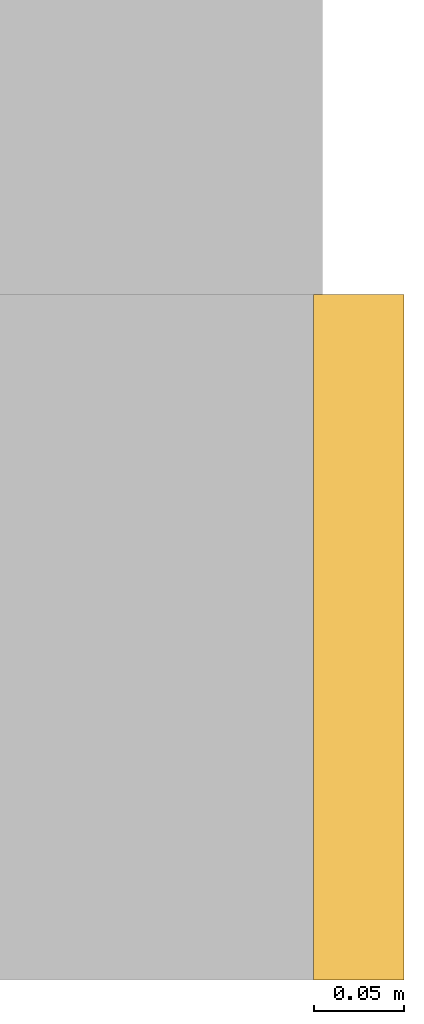
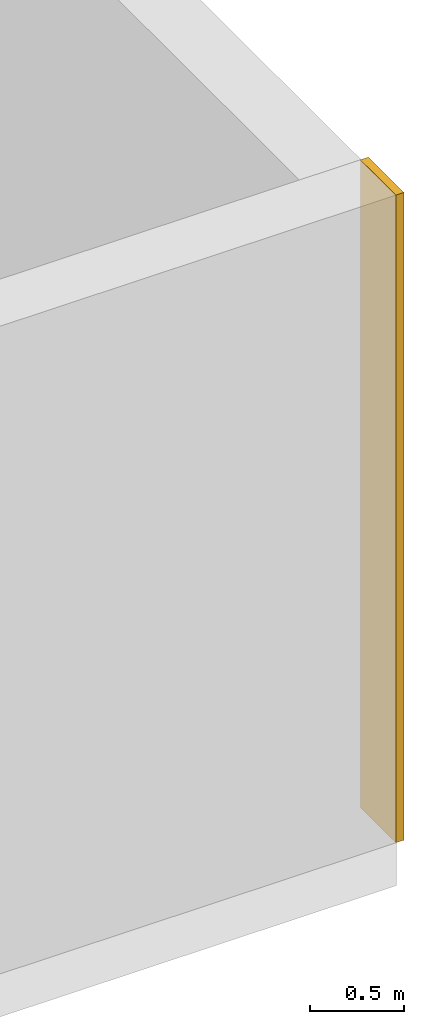
# One storey, part 20 of 21: 1 covering.
"""IFC4 building model written with IfcOpenShell, lengths in metres."""

from ifc_helpers import new_model, si_unit, direction, frame, frame_2d, origin, place, context, subcontext, project, spatial, rectangle, extrude, material, layer, layer_set, type_object, element, save


model = new_model("IFC4")

# Units and contexts
model_context = context("Model", 3, precision=1e-05, world=origin(), true_north=direction((0.0, 1.0)))
body_context = subcontext(model_context, "Body", "Model", "MODEL_VIEW")
ifc_project = project(units=[si_unit("LENGTHUNIT", "METRE"), si_unit("AREAUNIT", "SQUARE_METRE"), si_unit("VOLUMEUNIT", "CUBIC_METRE"), si_unit("PLANEANGLEUNIT", "RADIAN"), si_unit("MASSUNIT", "GRAM", prefix="KILO")], contexts=[model_context])

# Site, building, storey
site_placement = place(None, origin())
site = spatial("IfcSite", under=ifc_project, at=site_placement, CompositionType="ELEMENT")
building_placement = place(site_placement, origin())
building = spatial("IfcBuilding", under=site, at=building_placement, Name="Cairnveth Concourse Tower", CompositionType="ELEMENT")
storey_placement = place(building_placement, frame((0.0, 0.0, 10.0)))
storey = spatial("IfcBuildingStorey", under=building, at=storey_placement, Name="L02", CompositionType="ELEMENT", Elevation=10.0)

# Covering
ifc_material = material(Name="Dressed Melbourne Bluestone Cladding", Category="masonry")
ifc_layer = layer(ifc_material, 0.050048828125)
ifc_layer_set = layer_set([ifc_layer], Name="Dressed Melbourne Bluestone Cladding")
covering_type = type_object("IfcCoveringType", Name="DRESSED BLUESTONE PLINTH CLADDING 50", PredefinedType="CLADDING", material=ifc_layer_set)
covering_placement = place(storey_placement, frame((85.52001953125, 12.3798828125, 0.0), z_axis=(0.0, 0.0, 1.0), x_axis=(0.0, -1.0, 0.0)))
element("IfcCovering", 1, at=covering_placement, inside=storey, type_object=covering_type, Name="Melbourne Bluestone Corner Quoin L02-13", PredefinedType="CLADDING", context=body_context, shape_type="SweptSolid", body=[
    extrude(rectangle(XDim=0.3798828125, YDim=0.050048828125, at=frame_2d((0.18994140625, 0.0))), origin(), (0.0, 0.0, 1.0), 4.219970703125),
])

save(model, "model.ifc")
